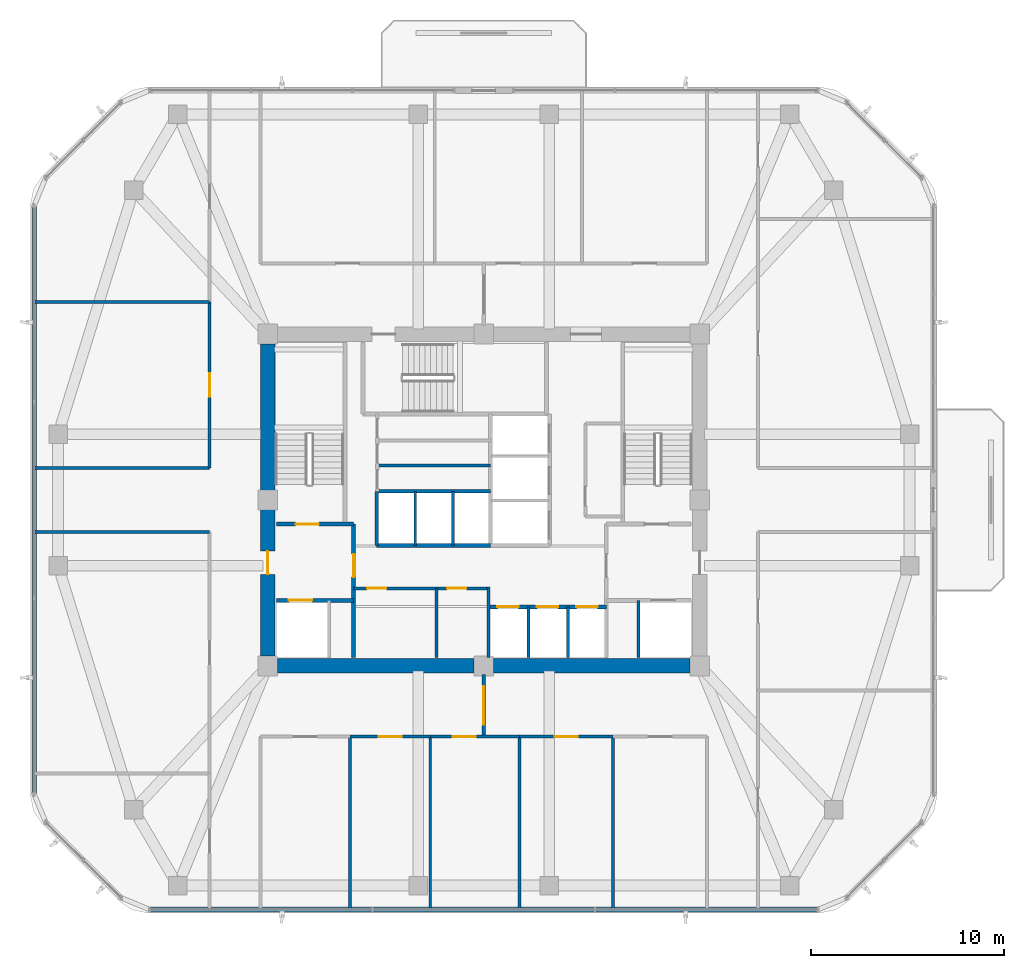
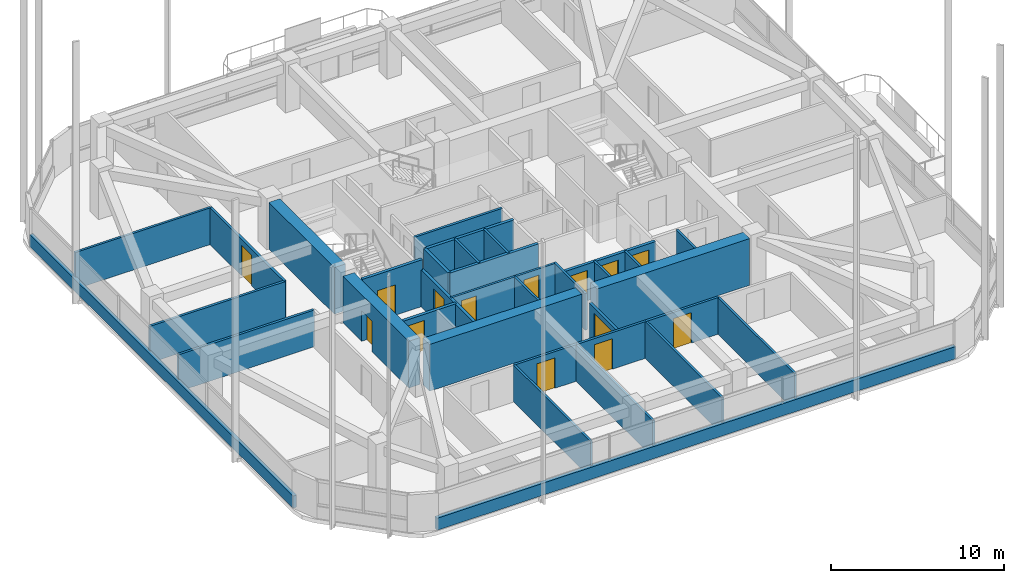
# One storey, part 8 of 14: 34 walls, 14 doors, 14 openings.
"""IFC4 building model written with IfcOpenShell, lengths in metres."""

from ifc_helpers import new_model, si_unit, derived_unit, direction, frame, frame_2d, origin, place, context, subcontext, project, spatial, rectangle, extrude, material, layer, layer_set, type_object, element, fill, save


model = new_model("IFC4")

# Units and contexts
model_context = context("Model", 3, precision=1e-05, world=origin(), true_north=direction((0.0, 1.0)))
body_context = subcontext(model_context, "Body", "Model", "MODEL_VIEW")
ifc_project = project(units=[si_unit("LENGTHUNIT", "METRE"), si_unit("AREAUNIT", "SQUARE_METRE"), si_unit("VOLUMEUNIT", "CUBIC_METRE"), si_unit("PLANEANGLEUNIT", "RADIAN"), si_unit("MASSUNIT", "GRAM", prefix="KILO"), derived_unit("THERMALTRANSMITTANCEUNIT", [(si_unit("POWERUNIT", "WATT"), 1), (si_unit("LENGTHUNIT", "METRE"), -2), (si_unit("THERMODYNAMICTEMPERATUREUNIT", "KELVIN"), -1)])], contexts=[model_context])

# Site, building, storey
site_placement = place(None, origin())
site = spatial("IfcSite", under=ifc_project, at=site_placement, CompositionType="ELEMENT")
building_placement = place(site_placement, origin())
building = spatial("IfcBuilding", under=site, at=building_placement, Name="Koralith Skygarden Medical Center", CompositionType="ELEMENT")
storey_placement = place(building_placement, frame((0.0, 0.0, 174.419921875)))
storey = spatial("IfcBuildingStorey", under=building, at=storey_placement, Name="L45", CompositionType="ELEMENT", Elevation=174.419921875)

# Wall, openings, doors
ifc_material_1 = material(Name="Gypsum Board Partition")
ifc_layer_1 = layer(ifc_material_1, 0.14990234375)
ifc_layer_set_1 = layer_set([ifc_layer_1], Name="Gypsum Board Partition")
wall_type_1 = type_object("IfcWallType", Name="Clinical Acoustic Partition 150", PredefinedType="PARTITIONING", material=ifc_layer_set_1)
wall_1_placement = place(storey_placement, frame((30.25, 21.320068359375, 0.0), z_axis=(0.0, 0.0, 1.0), x_axis=(1.0, 0.0, 0.0)))
wall_1 = element("IfcWall", 1, at=wall_1_placement, inside=storey, type_object=wall_type_1, Name="L45 Clinical Acoustic Partition 150 W-CORE-L45-FREED-LR-N", PredefinedType="PARTITIONING", context=body_context, shape_type="SweptSolid", body=[
    extrude(rectangle(XDim=7.0, YDim=0.14990234375, at=frame_2d((3.5, 0.0))), origin(), (0.0, 0.0, 1.0), 2.590087890625),
])
opening_1_placement = place(wall_1_placement, frame((0.699951171875, 0.0, 0.0)))
opening_1 = element("IfcOpeningElement", 2, at=opening_1_placement, cuts=wall_1, Name="Opening D-SUP", PredefinedType="OPENING", context=body_context, shape_type="SweptSolid", body=[
    extrude(rectangle(XDim=1.0, YDim=2.14990234375, at=frame_2d((0.5, 1.074951171875))), frame((0.0, 0.0849609375, 0.0), z_axis=(0.0, -1.0, 0.0), x_axis=(1.0, 0.0, 0.0)), (0.0, 0.0, 1.0), 0.169921875),
])
opening_2_placement = place(wall_1_placement, frame((4.85009765625, 0.0, 0.0)))
opening_2 = element("IfcOpeningElement", 3, at=opening_2_placement, cuts=wall_1, Name="Opening D-SUP", PredefinedType="OPENING", context=body_context, shape_type="SweptSolid", body=[
    extrude(rectangle(XDim=1.0, YDim=2.14990234375, at=frame_2d((0.5, 1.074951171875))), frame((0.0, 0.0849609375, 0.0), z_axis=(0.0, -1.0, 0.0), x_axis=(1.0, 0.0, 0.0)), (0.0, 0.0, 1.0), 0.169921875),
])
ifc_material_2 = material(Name="Aluminium 6063-T6", Category="aluminium")
door_type_1 = type_object("IfcDoorType", Name="Clinical Support Door D-SUP 1000", OperationType="NOTDEFINED", PredefinedType="DOOR", material=ifc_material_2)
door_1_placement = place(opening_1_placement, frame((1.0, 0.0, 0.0), z_axis=(0.0, 0.0, 1.0), x_axis=(-1.0, 0.0, 0.0)))
door_1 = element("IfcDoor", 4, at=door_1_placement, inside=storey, type_object=door_type_1, Name="L45 Medication Preparation Door", OperationType="SINGLE_SWING_LEFT", OverallHeight=2.14990234375, OverallWidth=1.0, PredefinedType="DOOR", context=body_context, shape_type="SweptSolid", body=[
    extrude(rectangle(XDim=1.0, YDim=2.14990234375, at=frame_2d((0.5, 1.074951171875))), frame((0.0, 0.02490234375, 0.0), z_axis=(0.0, -1.0, 0.0), x_axis=(1.0, 0.0, 0.0)), (0.0, 0.0, 1.0), 0.050048828125),
])
fill(opening_1, door_1)
door_2_placement = place(opening_2_placement, frame((1.0, 0.0, 0.0), z_axis=(0.0, 0.0, 1.0), x_axis=(-1.0, 0.0, 0.0)))
door_2 = element("IfcDoor", 5, at=door_2_placement, inside=storey, type_object=door_type_1, Name="L45 Telemetry Room Door", OperationType="SINGLE_SWING_RIGHT", OverallHeight=2.14990234375, OverallWidth=1.0, PredefinedType="DOOR", context=body_context, shape_type="SweptSolid", body=[
    extrude(rectangle(XDim=1.0, YDim=2.14990234375, at=frame_2d((0.5, 1.074951171875))), frame((0.0, 0.02490234375, 0.0), z_axis=(0.0, -1.0, 0.0), x_axis=(1.0, 0.0, 0.0)), (0.0, 0.0, 1.0), 0.050048828125),
])
fill(opening_2, door_2)

# Walls
wall_2_placement = place(storey_placement, frame((34.550048828125, 17.75, 0.0), z_axis=(0.0, 0.0, 1.0), x_axis=(0.0, 1.0, 0.0)))
element("IfcWall", 6, at=wall_2_placement, inside=storey, type_object=wall_type_1, Name="L45 Clinical Acoustic Partition 150 W-CORE-L45-FREED-LR-M", PredefinedType="PARTITIONING", context=body_context, shape_type="SweptSolid", body=[
    extrude(rectangle(XDim=3.570068359375, YDim=0.14990234375, at=frame_2d((1.78515625, 0.0))), origin(), (0.0, 0.0, 1.0), 2.590087890625),
])
for number, where, z_axis, x_axis, name in (
    (7, (30.06396484375, 13.639892578125, 0.0), (0.0, 0.0, 1.0), (0.0, -1.0, 0.0), "L45 Clinical Acoustic Partition 150 W-PART-L45-S-01"),
    (8, (34.22607421875, 13.639892578125, 0.0), (0.0, 0.0, 1.0), (0.0, -1.0, 0.0), "L45 Clinical Acoustic Partition 150 W-PART-L45-S-02"),
    (9, (38.85009765625, 13.639892578125, 0.0), (0.0, 0.0, 1.0), (0.0, -1.0, 0.0), "L45 Clinical Acoustic Partition 150 W-PART-L45-S-03"),
    (10, (43.705078125, 13.639892578125, 0.0), (0.0, 0.0, 1.0), (0.0, -1.0, 0.0), "L45 Clinical Acoustic Partition 150 W-PART-L45-S-04"),
):
    element("IfcWall", number, at=place(storey_placement, frame(where, z_axis=z_axis, x_axis=x_axis)), inside=storey, type_object=wall_type_1, Name=name, PredefinedType="PARTITIONING", context=body_context, shape_type="SweptSolid", body=[
        extrude(rectangle(XDim=8.93994140625, YDim=0.14990234375, at=frame_2d((4.469970703125, 0.0))), origin(), (0.0, 0.0, 1.0), 2.590087890625),
    ])
wall_3_placement = place(storey_placement, frame((22.7900390625, 36.157958984375, 0.0), z_axis=(0.0, 0.0, 1.0), x_axis=(-1.0, 0.0, 0.0)))
element("IfcWall", 11, at=wall_3_placement, inside=storey, type_object=wall_type_1, Name="L45 Clinical Acoustic Partition 150 W-PART-L45-WN-01", PredefinedType="PARTITIONING", context=body_context, shape_type="SweptSolid", body=[
    extrude(rectangle(XDim=9.073974609375, YDim=0.14990234375, at=frame_2d((4.537109375, 0.0))), origin(), (0.0, 0.0, 1.0), 2.590087890625),
])
ifc_layer_2 = layer(ifc_material_1, 0.1650390625)
ifc_layer_set_2 = layer_set([ifc_layer_2], Name="Gypsum Board Partition")
wall_type_2 = type_object("IfcWallType", Name="Clinical Corridor Partition 165", PredefinedType="PARTITIONING", material=ifc_layer_set_2)
for number, where, z_axis, x_axis, name in (
    (12, (13.716064453125, 24.239990234375, 0.0), (0.0, 0.0, 1.0), (1.0, 0.0, 0.0), "L45 Clinical Corridor Partition 165 W-HCOR-L45-EWS-W"),
    (13, (13.716064453125, 27.56005859375, 0.0), (0.0, 0.0, 1.0), (1.0, 0.0, 0.0), "L45 Clinical Corridor Partition 165 W-HCOR-L45-EWN-W"),
):
    element("IfcWall", number, at=place(storey_placement, frame(where, z_axis=z_axis, x_axis=x_axis)), inside=storey, type_object=wall_type_2, Name=name, PredefinedType="PARTITIONING", context=body_context, shape_type="SweptSolid", body=[
        extrude(rectangle(XDim=9.073974609375, YDim=0.1650390625, at=frame_2d((4.537109375, 0.0))), origin(), (0.0, 0.0, 1.0), 2.590087890625),
    ])

# Wall, opening, door
wall_4_placement = place(storey_placement, frame((30.06396484375, 13.639892578125, 0.0), z_axis=(0.0, 0.0, 1.0), x_axis=(1.0, 0.0, 0.0)))
wall_4 = element("IfcWall", 14, at=wall_4_placement, inside=storey, type_object=wall_type_2, Name="L45 Clinical Corridor Partition 165 W-CORR-L45-S-02", PredefinedType="PARTITIONING", context=body_context, shape_type="SweptSolid", body=[
    extrude(rectangle(XDim=4.162109375, YDim=0.1650390625, at=frame_2d((2.0810546875, 0.0))), origin(), (0.0, 0.0, 1.0), 2.590087890625),
])
opening_3_placement = place(wall_4_placement, frame((1.48095703125, 0.0, 0.0)))
opening_3 = element("IfcOpeningElement", 15, at=opening_3_placement, cuts=wall_4, Name="Opening D-CLN", PredefinedType="OPENING", context=body_context, shape_type="SweptSolid", body=[
    extrude(rectangle(XDim=1.199951171875, YDim=2.14990234375, at=frame_2d((0.60009765625, 1.074951171875))), frame((0.0, 0.092529296875, 0.0), z_axis=(0.0, -1.0, 0.0), x_axis=(1.0, 0.0, 0.0)), (0.0, 0.0, 1.0), 0.18505859375),
])
door_type_2 = type_object("IfcDoorType", Name="Clinical Corridor Door D-CLN 1200", OperationType="NOTDEFINED", PredefinedType="DOOR", material=ifc_material_2)
door_3_placement = place(opening_3_placement, frame((1.199951171875, 0.0, 0.0), z_axis=(0.0, 0.0, 1.0), x_axis=(-1.0, 0.0, 0.0)))
door_3 = element("IfcDoor", 16, at=door_3_placement, inside=storey, type_object=door_type_2, Name="L45 Chief Resident Office 05 Door", OperationType="SINGLE_SWING_RIGHT", OverallHeight=2.14990234375, OverallWidth=1.199951171875, PredefinedType="DOOR", context=body_context, shape_type="SweptSolid", body=[
    extrude(rectangle(XDim=1.199951171875, YDim=2.14990234375, at=frame_2d((0.60009765625, 1.074951171875))), frame((0.0, 0.02490234375, 0.0), z_axis=(0.0, -1.0, 0.0), x_axis=(1.0, 0.0, 0.0)), (0.0, 0.0, 1.0), 0.050048828125),
])
fill(opening_3, door_3)

wall_5_placement = place(storey_placement, frame((34.22607421875, 13.639892578125, 0.0), z_axis=(0.0, 0.0, 1.0), x_axis=(1.0, 0.0, 0.0)))
wall_5 = element("IfcWall", 17, at=wall_5_placement, inside=storey, type_object=wall_type_2, Name="L45 Clinical Corridor Partition 165 W-CORR-L45-S-03", PredefinedType="PARTITIONING", context=body_context, shape_type="SweptSolid", body=[
    extrude(rectangle(XDim=4.6240234375, YDim=0.1650390625, at=frame_2d((2.31201171875, 0.0))), origin(), (0.0, 0.0, 1.0), 2.590087890625),
])
opening_4_placement = place(wall_5_placement, frame((1.1630859375, 0.0, 0.0)))
opening_4 = element("IfcOpeningElement", 18, at=opening_4_placement, cuts=wall_5, Name="Opening D-CLN", PredefinedType="OPENING", context=body_context, shape_type="SweptSolid", body=[
    extrude(rectangle(XDim=1.199951171875, YDim=2.14990234375, at=frame_2d((0.60009765625, 1.074951171875))), frame((0.0, 0.092529296875, 0.0), z_axis=(0.0, -1.0, 0.0), x_axis=(1.0, 0.0, 0.0)), (0.0, 0.0, 1.0), 0.18505859375),
])
door_4_placement = place(opening_4_placement, frame((1.199951171875, 0.0, 0.0), z_axis=(0.0, 0.0, 1.0), x_axis=(-1.0, 0.0, 0.0)))
door_4 = element("IfcDoor", 19, at=door_4_placement, inside=storey, type_object=door_type_2, Name="L45 Surgical Morbidity Seminar Room 06 Door", OperationType="SINGLE_SWING_LEFT", OverallHeight=2.14990234375, OverallWidth=1.199951171875, PredefinedType="DOOR", context=body_context, shape_type="SweptSolid", body=[
    extrude(rectangle(XDim=1.199951171875, YDim=2.14990234375, at=frame_2d((0.60009765625, 1.074951171875))), frame((0.0, 0.02490234375, 0.0), z_axis=(0.0, -1.0, 0.0), x_axis=(1.0, 0.0, 0.0)), (0.0, 0.0, 1.0), 0.050048828125),
])
fill(opening_4, door_4)

wall_6_placement = place(storey_placement, frame((38.85009765625, 13.639892578125, 0.0), z_axis=(0.0, 0.0, 1.0), x_axis=(1.0, 0.0, 0.0)))
wall_6 = element("IfcWall", 20, at=wall_6_placement, inside=storey, type_object=wall_type_2, Name="L45 Clinical Corridor Partition 165 W-CORR-L45-S-04", PredefinedType="PARTITIONING", context=body_context, shape_type="SweptSolid", body=[
    extrude(rectangle(XDim=4.85498046875, YDim=0.1650390625, at=frame_2d((2.427490234375, 0.0))), origin(), (0.0, 0.0, 1.0), 2.590087890625),
])
opening_5_placement = place(wall_6_placement, frame((1.826904296875, 0.0, 0.0)))
opening_5 = element("IfcOpeningElement", 21, at=opening_5_placement, cuts=wall_6, Name="Opening D-CLN", PredefinedType="OPENING", context=body_context, shape_type="SweptSolid", body=[
    extrude(rectangle(XDim=1.199951171875, YDim=2.14990234375, at=frame_2d((0.60009765625, 1.074951171875))), frame((0.0, 0.092529296875, 0.0), z_axis=(0.0, -1.0, 0.0), x_axis=(1.0, 0.0, 0.0)), (0.0, 0.0, 1.0), 0.18505859375),
])
door_5_placement = place(opening_5_placement, frame((1.199951171875, 0.0, 0.0), z_axis=(0.0, 0.0, 1.0), x_axis=(-1.0, 0.0, 0.0)))
door_5 = element("IfcDoor", 22, at=door_5_placement, inside=storey, type_object=door_type_2, Name="L45 Endoscopy Scope Supply Store 07 Door", OperationType="SINGLE_SWING_RIGHT", OverallHeight=2.14990234375, OverallWidth=1.199951171875, PredefinedType="DOOR", context=body_context, shape_type="SweptSolid", body=[
    extrude(rectangle(XDim=1.199951171875, YDim=2.14990234375, at=frame_2d((0.60009765625, 1.074951171875))), frame((0.0, 0.02490234375, 0.0), z_axis=(0.0, -1.0, 0.0), x_axis=(1.0, 0.0, 0.0)), (0.0, 0.0, 1.0), 0.050048828125),
])
fill(opening_5, door_5)

wall_7_placement = place(storey_placement, frame((22.7900390625, 27.56005859375, 0.0), z_axis=(0.0, 0.0, 1.0), x_axis=(0.0, 1.0, 0.0)))
wall_7 = element("IfcWall", 23, at=wall_7_placement, inside=storey, type_object=wall_type_2, Name="L45 Clinical Corridor Partition 165 W-CORR-L45-WN-01", PredefinedType="PARTITIONING", context=body_context, shape_type="SweptSolid", body=[
    extrude(rectangle(XDim=8.597900390625, YDim=0.1650390625, at=frame_2d((4.298828125, 0.0))), origin(), (0.0, 0.0, 1.0), 2.590087890625),
])
opening_6_placement = place(wall_7_placement, frame((3.698974609375, 0.0, 0.0)))
opening_6 = element("IfcOpeningElement", 24, at=opening_6_placement, cuts=wall_7, Name="Opening D-CLN", PredefinedType="OPENING", context=body_context, shape_type="SweptSolid", body=[
    extrude(rectangle(XDim=1.199951171875, YDim=2.14990234375, at=frame_2d((0.60009765625, 1.074951171875))), frame((0.0, 0.092529296875, 0.0), z_axis=(0.0, -1.0, 0.0), x_axis=(1.0, 0.0, 0.0)), (0.0, 0.0, 1.0), 0.18505859375),
])
door_6_placement = place(opening_6_placement, frame((1.199951171875, 0.0, 0.0), z_axis=(0.0, 0.0, 1.0), x_axis=(-1.0, 0.0, 0.0)))
door_6 = element("IfcDoor", 25, at=door_6_placement, inside=storey, type_object=door_type_2, Name="L45 Endoscopy Scope Supply Store 11 Door", OperationType="SINGLE_SWING_RIGHT", OverallHeight=2.14990234375, OverallWidth=1.199951171875, PredefinedType="DOOR", context=body_context, shape_type="SweptSolid", body=[
    extrude(rectangle(XDim=1.199951171875, YDim=2.14990234375, at=frame_2d((0.60009765625, 1.074951171875))), frame((0.0, 0.02490234375, 0.0), z_axis=(0.0, -1.0, 0.0), x_axis=(1.0, 0.0, 0.0)), (0.0, 0.0, 1.0), 0.050048828125),
])
fill(opening_6, door_6)

ifc_layer_3 = layer(ifc_material_1, 0.199951171875)
ifc_layer_set_3 = layer_set([ifc_layer_3], Name="Gypsum Board Partition")
wall_type_3 = type_object("IfcWallType", Name="Fire Shaft Wall 200", PredefinedType="SOLIDWALL", material=ifc_layer_set_3)
wall_8_placement = place(storey_placement, frame((26.25, 20.699951171875, 0.0), z_axis=(0.0, 0.0, 1.0), x_axis=(1.0, 0.0, 0.0)))
wall_8 = element("IfcWall", 26, at=wall_8_placement, inside=storey, type_object=wall_type_3, Name="L45 Fire Shaft Wall 200 W-CORE-L45-FF1-N", PredefinedType="SOLIDWALL", context=body_context, shape_type="SweptSolid", body=[
    extrude(rectangle(XDim=4.0, YDim=0.199951171875, at=frame_2d((2.0, 0.0))), origin(), (0.0, 0.0, 1.0), 2.590087890625),
])
opening_7_placement = place(wall_8_placement, frame((0.64990234375, 0.0, 0.0)))
opening_7 = element("IfcOpeningElement", 27, at=opening_7_placement, cuts=wall_8, Name="Opening LD-FF", PredefinedType="OPENING", context=body_context, shape_type="SweptSolid", body=[
    extrude(rectangle(XDim=1.199951171875, YDim=2.14990234375, at=frame_2d((0.60009765625, 1.074951171875))), frame((0.0, 0.10986328125, 0.0), z_axis=(0.0, -1.0, 0.0), x_axis=(1.0, 0.0, 0.0)), (0.0, 0.0, 1.0), 0.219970703125),
])
ifc_material_3 = material(Name="Steel ASTM A500 Grade C", Category="steel")
door_type_3 = type_object("IfcDoorType", Name="Fire Lift Sliding Landing Door LD-FF 1200", OperationType="NOTDEFINED", PredefinedType="DOOR", material=ifc_material_3)
door_7_placement = place(opening_7_placement, origin())
door_7 = element("IfcDoor", 28, at=door_7_placement, inside=storey, type_object=door_type_3, Name="L45 Fire Service Elevator FF1 Landing Door", OperationType="SLIDING_TO_LEFT", OverallHeight=2.14990234375, OverallWidth=1.199951171875, PredefinedType="DOOR", context=body_context, shape_type="SweptSolid", body=[
    extrude(rectangle(XDim=1.199951171875, YDim=2.14990234375, at=frame_2d((0.60009765625, 1.074951171875))), frame((0.0, 0.02490234375, 0.0), z_axis=(0.0, -1.0, 0.0), x_axis=(1.0, 0.0, 0.0)), (0.0, 0.0, 1.0), 0.050048828125),
])
fill(opening_7, door_7)

wall_9_placement = place(storey_placement, frame((30.25, 17.75, 0.0), z_axis=(0.0, 0.0, 1.0), x_axis=(0.0, 1.0, 0.0)))
wall_9 = element("IfcWall", 29, at=wall_9_placement, inside=storey, type_object=wall_type_3, Name="L45 Fire Shaft Wall 200 W-CORE-L45-FSAEW-E", PredefinedType="SOLIDWALL", context=body_context, shape_type="SweptSolid", body=[
    extrude(rectangle(XDim=6.89990234375, YDim=0.199951171875, at=frame_2d((3.449951171875, 0.0))), origin(), (0.0, 0.0, 1.0), 2.590087890625),
])
opening_8_placement = place(wall_9_placement, frame((4.14990234375, 0.0, 0.0)))
opening_8 = element("IfcOpeningElement", 30, at=opening_8_placement, cuts=wall_9, Name="Opening D-ST60", PredefinedType="OPENING", context=body_context, shape_type="SweptSolid", body=[
    extrude(rectangle(XDim=1.199951171875, YDim=2.14990234375, at=frame_2d((0.60009765625, 1.074951171875))), frame((0.0, 0.10986328125, 0.0), z_axis=(0.0, -1.0, 0.0), x_axis=(1.0, 0.0, 0.0)), (0.0, 0.0, 1.0), 0.219970703125),
])
door_type_4 = type_object("IfcDoorType", Name="Smokeproof Stair Fire Door FD60S 1200", OperationType="NOTDEFINED", PredefinedType="DOOR", material=ifc_material_3)
door_8_placement = place(opening_8_placement, origin())
door_8 = element("IfcDoor", 31, at=door_8_placement, inside=storey, type_object=door_type_4, Name="L45 West Firefighting Lobby Inner Fire Door", OperationType="SINGLE_SWING_LEFT", OverallHeight=2.14990234375, OverallWidth=1.199951171875, PredefinedType="DOOR", context=body_context, shape_type="SweptSolid", body=[
    extrude(rectangle(XDim=1.199951171875, YDim=2.14990234375, at=frame_2d((0.60009765625, 1.074951171875))), frame((0.0, 0.02490234375, 0.0), z_axis=(0.0, -1.0, 0.0), x_axis=(1.0, 0.0, 0.0)), (0.0, 0.0, 1.0), 0.050048828125),
])
fill(opening_8, door_8)

# Wall, openings, doors
wall_10_placement = place(storey_placement, frame((37.25, 20.360107421875, 0.0), z_axis=(0.0, 0.0, 1.0), x_axis=(1.0, 0.0, 0.0)))
wall_10 = element("IfcWall", 32, at=wall_10_placement, inside=storey, type_object=wall_type_3, Name="L45 Fire Shaft Wall 200 W-CORE-L45-PM-N", PredefinedType="SOLIDWALL", context=body_context, shape_type="SweptSolid", body=[
    extrude(rectangle(XDim=6.10009765625, YDim=0.199951171875, at=frame_2d((3.050048828125, 0.0))), origin(), (0.0, 0.0, 1.0), 2.590087890625),
])
opening_9_placement = place(wall_10_placement, frame((0.449951171875, 0.0, 0.0)))
opening_9 = element("IfcOpeningElement", 33, at=opening_9_placement, cuts=wall_10, Name="Opening LD-P", PredefinedType="OPENING", context=body_context, shape_type="SweptSolid", body=[
    extrude(rectangle(XDim=1.10009765625, YDim=2.14990234375, at=frame_2d((0.550048828125, 1.074951171875))), frame((0.0, 0.10986328125, 0.0), z_axis=(0.0, -1.0, 0.0), x_axis=(1.0, 0.0, 0.0)), (0.0, 0.0, 1.0), 0.219970703125),
])
opening_10_placement = place(wall_10_placement, frame((2.5, 0.0, 0.0)))
opening_10 = element("IfcOpeningElement", 34, at=opening_10_placement, cuts=wall_10, Name="Opening LD-P", PredefinedType="OPENING", context=body_context, shape_type="SweptSolid", body=[
    extrude(rectangle(XDim=1.10009765625, YDim=2.14990234375, at=frame_2d((0.550048828125, 1.074951171875))), frame((0.0, 0.10986328125, 0.0), z_axis=(0.0, -1.0, 0.0), x_axis=(1.0, 0.0, 0.0)), (0.0, 0.0, 1.0), 0.219970703125),
])
opening_11_placement = place(wall_10_placement, frame((4.550048828125, 0.0, 0.0)))
opening_11 = element("IfcOpeningElement", 35, at=opening_11_placement, cuts=wall_10, Name="Opening LD-P", PredefinedType="OPENING", context=body_context, shape_type="SweptSolid", body=[
    extrude(rectangle(XDim=1.10009765625, YDim=2.14990234375, at=frame_2d((0.550048828125, 1.074951171875))), frame((0.0, 0.10986328125, 0.0), z_axis=(0.0, -1.0, 0.0), x_axis=(1.0, 0.0, 0.0)), (0.0, 0.0, 1.0), 0.219970703125),
])
door_type_5 = type_object("IfcDoorType", Name="Passenger Lift Sliding Landing Door LD-P 1100", OperationType="NOTDEFINED", PredefinedType="DOOR", material=ifc_material_3)
door_9_placement = place(opening_9_placement, origin())
door_9 = element("IfcDoor", 36, at=door_9_placement, inside=storey, type_object=door_type_5, Name="L45 Passenger Elevator PM1 Landing Door", OperationType="SLIDING_TO_LEFT", OverallHeight=2.14990234375, OverallWidth=1.10009765625, PredefinedType="DOOR", context=body_context, shape_type="SweptSolid", body=[
    extrude(rectangle(XDim=1.10009765625, YDim=2.14990234375, at=frame_2d((0.550048828125, 1.074951171875))), frame((0.0, 0.02490234375, 0.0), z_axis=(0.0, -1.0, 0.0), x_axis=(1.0, 0.0, 0.0)), (0.0, 0.0, 1.0), 0.050048828125),
])
fill(opening_9, door_9)
door_10_placement = place(opening_10_placement, origin())
door_10 = element("IfcDoor", 37, at=door_10_placement, inside=storey, type_object=door_type_5, Name="L45 Passenger Elevator PM2 Landing Door", OperationType="SLIDING_TO_LEFT", OverallHeight=2.14990234375, OverallWidth=1.10009765625, PredefinedType="DOOR", context=body_context, shape_type="SweptSolid", body=[
    extrude(rectangle(XDim=1.10009765625, YDim=2.14990234375, at=frame_2d((0.550048828125, 1.074951171875))), frame((0.0, 0.02490234375, 0.0), z_axis=(0.0, -1.0, 0.0), x_axis=(1.0, 0.0, 0.0)), (0.0, 0.0, 1.0), 0.050048828125),
])
fill(opening_10, door_10)
door_11_placement = place(opening_11_placement, origin())
door_11 = element("IfcDoor", 38, at=door_11_placement, inside=storey, type_object=door_type_5, Name="L45 Passenger Elevator PM3 Landing Door", OperationType="SLIDING_TO_LEFT", OverallHeight=2.14990234375, OverallWidth=1.10009765625, PredefinedType="DOOR", context=body_context, shape_type="SweptSolid", body=[
    extrude(rectangle(XDim=1.10009765625, YDim=2.14990234375, at=frame_2d((0.550048828125, 1.074951171875))), frame((0.0, 0.02490234375, 0.0), z_axis=(0.0, -1.0, 0.0), x_axis=(1.0, 0.0, 0.0)), (0.0, 0.0, 1.0), 0.050048828125),
])
fill(opening_11, door_11)

# Walls
for number, where, z_axis, x_axis, name in (
    (39, (31.449951171875, 23.5400390625, 0.0), (0.0, 0.0, 1.0), (1.0, 0.0, 0.0), "L45 Fire Shaft Wall 200 W-CORE-L45-PH-S"),
    (40, (31.449951171875, 26.35009765625, 0.0), (0.0, 0.0, 1.0), (1.0, 0.0, 0.0), "L45 Fire Shaft Wall 200 W-CORE-L45-PH-N"),
):
    element("IfcWall", number, at=place(storey_placement, frame(where, z_axis=z_axis, x_axis=x_axis)), inside=storey, type_object=wall_type_3, Name=name, PredefinedType="SOLIDWALL", context=body_context, shape_type="SweptSolid", body=[
        extrude(rectangle(XDim=5.900146484375, YDim=0.199951171875, at=frame_2d((2.9501953125, 0.0))), origin(), (0.0, 0.0, 1.0), 2.590087890625),
    ])
wall_11_placement = place(storey_placement, frame((31.449951171875, 23.5400390625, 0.0), z_axis=(0.0, 0.0, 1.0), x_axis=(0.0, 1.0, 0.0)))
element("IfcWall", 41, at=wall_11_placement, inside=storey, type_object=wall_type_3, Name="L45 Fire Shaft Wall 200 W-CORE-L45-PH-W", PredefinedType="SOLIDWALL", context=body_context, shape_type="SweptSolid", body=[
    extrude(rectangle(XDim=2.81005859375, YDim=0.199951171875, at=frame_2d((1.405029296875, 0.0))), origin(), (0.0, 0.0, 1.0), 2.590087890625),
])

# Wall, opening, door
ifc_layer_4 = layer(ifc_material_1, 0.179931640625)
ifc_layer_set_4 = layer_set([ifc_layer_4], Name="Gypsum Board Partition")
wall_type_4 = type_object("IfcWallType", Name="Group I-2 Smoke Barrier Wall 180", PredefinedType="PARTITIONING", material=ifc_layer_set_4)
wall_12_placement = place(storey_placement, frame((37.0, 13.639892578125, 0.0), z_axis=(0.0, 0.0, 1.0), x_axis=(0.0, 1.0, 0.0)))
wall_12 = element("IfcWall", 42, at=wall_12_placement, inside=storey, type_object=wall_type_4, Name="L45 Group I-2 Smoke Barrier Wall 180 W-SMK-L45-S", PredefinedType="PARTITIONING", context=body_context, shape_type="SweptSolid", body=[
    extrude(rectangle(XDim=3.210205078125, YDim=0.179931640625, at=frame_2d((1.60498046875, 0.0))), origin(), (0.0, 0.0, 1.0), 2.590087890625),
])
opening_12_placement = place(wall_12_placement, frame((0.60498046875, 0.0, 0.0)))
opening_12 = element("IfcOpeningElement", 43, at=opening_12_placement, cuts=wall_12, Name="Opening D-SMK", PredefinedType="OPENING", context=body_context, shape_type="SweptSolid", body=[
    extrude(rectangle(XDim=2.0, YDim=2.199951171875, at=frame_2d((1.0, 1.10009765625))), frame((0.0, 0.099853515625, 0.0), z_axis=(0.0, -1.0, 0.0), x_axis=(1.0, 0.0, 0.0)), (0.0, 0.0, 1.0), 0.199951171875),
])
door_type_6 = type_object("IfcDoorType", Name="Cross-Corridor Double Smoke Door FD60S 2000", OperationType="NOTDEFINED", PredefinedType="DOOR", material=ifc_material_3)
door_12_placement = place(opening_12_placement, frame((2.0, 0.0, 0.0), z_axis=(0.0, 0.0, 1.0), x_axis=(-1.0, 0.0, 0.0)))
door_12 = element("IfcDoor", 44, at=door_12_placement, inside=storey, type_object=door_type_6, Name="L45 S Smoke Compartment Cross-Corridor Door", OperationType="DOUBLE_DOOR_SINGLE_SWING", OverallHeight=2.199951171875, OverallWidth=2.0, PredefinedType="DOOR", context=body_context, shape_type="SweptSolid", body=[
    extrude(rectangle(XDim=2.0, YDim=2.199951171875, at=frame_2d((1.0, 1.10009765625))), frame((0.0, 0.02490234375, 0.0), z_axis=(0.0, -1.0, 0.0), x_axis=(1.0, 0.0, 0.0)), (0.0, 0.0, 1.0), 0.050048828125),
])
fill(opening_12, door_12)

# Walls
ifc_material_4 = material(Name="Warm Oolitic Limestone Cladding", Category="masonry")
ifc_layer_5 = layer(ifc_material_4, 0.239990234375)
ifc_layer_set_5 = layer_set([ifc_layer_5], Name="Warm Oolitic Limestone Cladding")
wall_type_5 = type_object("IfcWallType", Name="Limestone Spandrel Sill Backup Wall 240", PredefinedType="SOLIDWALL", material=ifc_layer_set_5)
wall_13_placement = place(storey_placement, frame((19.6708984375, 4.679931640625, 0.0), z_axis=(0.0, 0.0, 1.0), x_axis=(1.0, 0.0, 0.0)))
element("IfcWall", 45, at=wall_13_placement, inside=storey, type_object=wall_type_5, Name="L45 Sill Spandrel S", PredefinedType="SOLIDWALL", context=body_context, shape_type="SweptSolid", body=[
    extrude(rectangle(XDim=34.658203125, YDim=0.239990234375, at=frame_2d((17.3291015625, 0.0))), origin(), (0.0, 0.0, 1.0), 0.85009765625),
])
wall_14_placement = place(storey_placement, frame((13.696044921875, 41.14501953125, 0.0), z_axis=(0.0, 0.0, 1.0), x_axis=(0.0, -1.0, 0.0)))
element("IfcWall", 46, at=wall_14_placement, inside=storey, type_object=wall_type_5, Name="L45 Sill Spandrel W", PredefinedType="SOLIDWALL", context=body_context, shape_type="SweptSolid", body=[
    extrude(rectangle(XDim=30.489990234375, YDim=0.239990234375, at=frame_2d((15.2451171875, 0.0))), origin(), (0.0, 0.0, 1.0), 0.85009765625),
])
ifc_material_5 = material(Name="Concrete C70/85", Category="concrete")
ifc_layer_6 = layer(ifc_material_5, 0.75)
ifc_layer_set_6 = layer_set([ifc_layer_6], Name="Concrete C70/85")
wall_type_6 = type_object("IfcWallType", Name="Mid Core Shear Wall 750", PredefinedType="SHEAR", material=ifc_layer_set_6)
for number, where, z_axis, x_axis, name in (
    (47, (26.304931640625, 17.300048828125, 0.0), (0.0, 0.0, 1.0), (1.0, 0.0, 0.0), "L45 Core Shear Wall Segment 1"),
    (48, (37.5048828125, 17.300048828125, 0.0), (0.0, 0.0, 1.0), (1.0, 0.0, 0.0), "L45 Core Shear Wall Segment 2"),
):
    element("IfcWall", number, at=place(storey_placement, frame(where, z_axis=z_axis, x_axis=x_axis)), inside=storey, type_object=wall_type_6, Name=name, PredefinedType="SHEAR", context=body_context, shape_type="SweptSolid", body=[
        extrude(rectangle(XDim=10.190185546875, YDim=0.75, at=frame_2d((5.09521484375, 0.0))), origin(), (0.0, 0.0, 1.0), 3.300048828125),
    ])
wall_15_placement = place(storey_placement, frame((25.800048828125, 33.9951171875, 0.0), z_axis=(0.0, 0.0, 1.0), x_axis=(0.0, -1.0, 0.0)))
element("IfcWall", 49, at=wall_15_placement, inside=storey, type_object=wall_type_6, Name="L45 Core Shear Wall Segment 7", PredefinedType="SHEAR", context=body_context, shape_type="SweptSolid", body=[
    extrude(rectangle(XDim=7.590087890625, YDim=0.75, at=frame_2d((3.794921875, 0.0))), origin(), (0.0, 0.0, 1.0), 3.300048828125),
])

# Wall, opening, door
wall_16_placement = place(storey_placement, frame((25.800048828125, 25.39501953125, 0.0), z_axis=(0.0, 0.0, 1.0), x_axis=(0.0, -1.0, 0.0)))
wall_16 = element("IfcWall", 50, at=wall_16_placement, inside=storey, type_object=wall_type_6, Name="L45 Core Shear Wall Segment 8", PredefinedType="SHEAR", context=body_context, shape_type="SweptSolid", body=[
    extrude(rectangle(XDim=7.590087890625, YDim=0.75, at=frame_2d((3.794921875, 0.0))), origin(), (0.0, 0.0, 1.0), 3.300048828125),
])
opening_13_placement = place(wall_16_placement, frame((2.14501953125, 0.0, 0.0)))
opening_13 = element("IfcOpeningElement", 51, at=opening_13_placement, cuts=wall_16, Name="Opening D-ST60", PredefinedType="OPENING", context=body_context, shape_type="SweptSolid", body=[
    extrude(rectangle(XDim=1.199951171875, YDim=2.14990234375, at=frame_2d((0.60009765625, 1.074951171875))), frame((0.0, 0.385009765625, 0.0), z_axis=(0.0, -1.0, 0.0), x_axis=(1.0, 0.0, 0.0)), (0.0, 0.0, 1.0), 0.77001953125),
])
door_13_placement = place(opening_13_placement, frame((1.199951171875, 0.0, 0.0), z_axis=(0.0, 0.0, 1.0), x_axis=(-1.0, 0.0, 0.0)))
door_13 = element("IfcDoor", 52, at=door_13_placement, inside=storey, type_object=door_type_4, Name="L45 West Corridor to Firefighting Lobby Door", OperationType="SINGLE_SWING_LEFT", OverallHeight=2.14990234375, OverallWidth=1.199951171875, PredefinedType="DOOR", context=body_context, shape_type="SweptSolid", body=[
    extrude(rectangle(XDim=1.199951171875, YDim=2.14990234375, at=frame_2d((0.60009765625, 1.074951171875))), frame((0.0, 0.02490234375, 0.0), z_axis=(0.0, -1.0, 0.0), x_axis=(1.0, 0.0, 0.0)), (0.0, 0.0, 1.0), 0.050048828125),
])
fill(opening_13, door_13)

# Walls
ifc_layer_7 = layer(ifc_material_1, 0.1650390625)
ifc_layer_set_7 = layer_set([ifc_layer_7], Name="Gypsum Board Partition")
wall_type_7 = type_object("IfcWallType", Name="Plumbing Wet Wall 165", PredefinedType="PLUMBINGWALL", material=ifc_layer_set_7)
wall_17_placement = place(storey_placement, frame((31.47998046875, 27.679931640625, 0.0), z_axis=(0.0, 0.0, 1.0), x_axis=(1.0, 0.0, 0.0)))
element("IfcWall", 53, at=wall_17_placement, inside=storey, type_object=wall_type_7, Name="L45 Plumbing Wet Wall 165 W-CORE-L45-FLEX-H1A", PredefinedType="PLUMBINGWALL", context=body_context, shape_type="SweptSolid", body=[
    extrude(rectangle(XDim=5.8701171875, YDim=0.1650390625, at=frame_2d((2.93505859375, 0.0))), origin(), (0.0, 0.0, 1.0), 2.590087890625),
])
ifc_layer_8 = layer(ifc_material_1, 0.14990234375)
ifc_layer_set_8 = layer_set([ifc_layer_8], Name="Gypsum Board Partition")
wall_type_8 = type_object("IfcWallType", Name="Shaft Partition Wall 150", PredefinedType="PARTITIONING", material=ifc_layer_set_8)
wall_18_placement = place(storey_placement, frame((45.02001953125, 17.75, 0.0), z_axis=(0.0, 0.0, 1.0), x_axis=(0.0, 1.0, 0.0)))
element("IfcWall", 54, at=wall_18_placement, inside=storey, type_object=wall_type_8, Name="L45 Shaft Partition Wall 150 W-CORE-L45-RSRE-DIV", PredefinedType="PARTITIONING", context=body_context, shape_type="SweptSolid", body=[
    extrude(rectangle(XDim=2.949951171875, YDim=0.14990234375, at=frame_2d((1.47509765625, 0.0))), origin(), (0.0, 0.0, 1.0), 2.590087890625),
])
for number, where, z_axis, x_axis, name in (
    (55, (39.320068359375, 17.75, 0.0), (0.0, 0.0, 1.0), (0.0, 1.0, 0.0), "L45 Shaft Partition Wall 150 W-CORE-L45-PM-D1"),
    (56, (41.3701171875, 17.75, 0.0), (0.0, 0.0, 1.0), (0.0, 1.0, 0.0), "L45 Shaft Partition Wall 150 W-CORE-L45-PM-D2"),
):
    element("IfcWall", number, at=place(storey_placement, frame(where, z_axis=z_axis, x_axis=x_axis)), inside=storey, type_object=wall_type_8, Name=name, PredefinedType="PARTITIONING", context=body_context, shape_type="SweptSolid", body=[
        extrude(rectangle(XDim=2.610107421875, YDim=0.14990234375, at=frame_2d((1.30517578125, 0.0))), origin(), (0.0, 0.0, 1.0), 2.590087890625),
    ])
wall_19_placement = place(storey_placement, frame((37.25, 17.75, 0.0), z_axis=(0.0, 0.0, 1.0), x_axis=(0.0, 1.0, 0.0)))
element("IfcWall", 57, at=wall_19_placement, inside=storey, type_object=wall_type_8, Name="L45 Shaft Partition Wall 150 W-CORE-L45-PL-PM-SEP", PredefinedType="PARTITIONING", context=body_context, shape_type="SweptSolid", body=[
    extrude(rectangle(XDim=3.64990234375, YDim=0.14990234375, at=frame_2d((1.824951171875, 0.0))), origin(), (0.0, 0.0, 1.0), 2.590087890625),
])
for number, where, z_axis, x_axis, name in (
    (58, (33.449951171875, 23.5400390625, 0.0), (0.0, 0.0, 1.0), (0.0, 1.0, 0.0), "L45 Shaft Partition Wall 150 W-CORE-L45-PH-D1"),
    (59, (35.39990234375, 23.5400390625, 0.0), (0.0, 0.0, 1.0), (0.0, 1.0, 0.0), "L45 Shaft Partition Wall 150 W-CORE-L45-PH-D2"),
):
    element("IfcWall", number, at=place(storey_placement, frame(where, z_axis=z_axis, x_axis=x_axis)), inside=storey, type_object=wall_type_8, Name=name, PredefinedType="PARTITIONING", context=body_context, shape_type="SweptSolid", body=[
        extrude(rectangle(XDim=2.81005859375, YDim=0.14990234375, at=frame_2d((1.405029296875, 0.0))), origin(), (0.0, 0.0, 1.0), 2.590087890625),
    ])

# Wall, opening, door
ifc_material_6 = material(Name="Concrete C45/55", Category="concrete")
ifc_layer_9 = layer(ifc_material_6, 0.199951171875)
ifc_layer_set_9 = layer_set([ifc_layer_9], Name="Concrete C45/55")
wall_type_9 = type_object("IfcWallType", Name="Structural Stair Shaft Wall 200", PredefinedType="SHEAR", material=ifc_layer_set_9)
wall_20_placement = place(storey_placement, frame((26.25, 24.64990234375, 0.0), z_axis=(0.0, 0.0, 1.0), x_axis=(1.0, 0.0, 0.0)))
wall_20 = element("IfcWall", 60, at=wall_20_placement, inside=storey, type_object=wall_type_9, Name="L45 Structural Stair Shaft Wall 200 W-CORE-L45-ST1-S", PredefinedType="SHEAR", context=body_context, shape_type="SweptSolid", body=[
    extrude(rectangle(XDim=4.0, YDim=0.199951171875, at=frame_2d((2.0, 0.0))), origin(), (0.0, 0.0, 1.0), 3.300048828125),
])
opening_14_placement = place(wall_20_placement, frame((1.0, 0.0, 0.0)))
opening_14 = element("IfcOpeningElement", 61, at=opening_14_placement, cuts=wall_20, Name="Opening D-ST60", PredefinedType="OPENING", context=body_context, shape_type="SweptSolid", body=[
    extrude(rectangle(XDim=1.199951171875, YDim=2.14990234375, at=frame_2d((0.60009765625, 1.074951171875))), frame((0.0, 0.10986328125, 0.0), z_axis=(0.0, -1.0, 0.0), x_axis=(1.0, 0.0, 0.0)), (0.0, 0.0, 1.0), 0.219970703125),
])
door_14_placement = place(opening_14_placement, origin())
door_14 = element("IfcDoor", 62, at=door_14_placement, inside=storey, type_object=door_type_4, Name="L45 Exit Stair ST1 Fire Door", OperationType="SINGLE_SWING_LEFT", OverallHeight=2.14990234375, OverallWidth=1.199951171875, PredefinedType="DOOR", context=body_context, shape_type="SweptSolid", body=[
    extrude(rectangle(XDim=1.199951171875, YDim=2.14990234375, at=frame_2d((0.60009765625, 1.074951171875))), frame((0.0, 0.02490234375, 0.0), z_axis=(0.0, -1.0, 0.0), x_axis=(1.0, 0.0, 0.0)), (0.0, 0.0, 1.0), 0.050048828125),
])
fill(opening_14, door_14)

save(model, "model.ifc")
